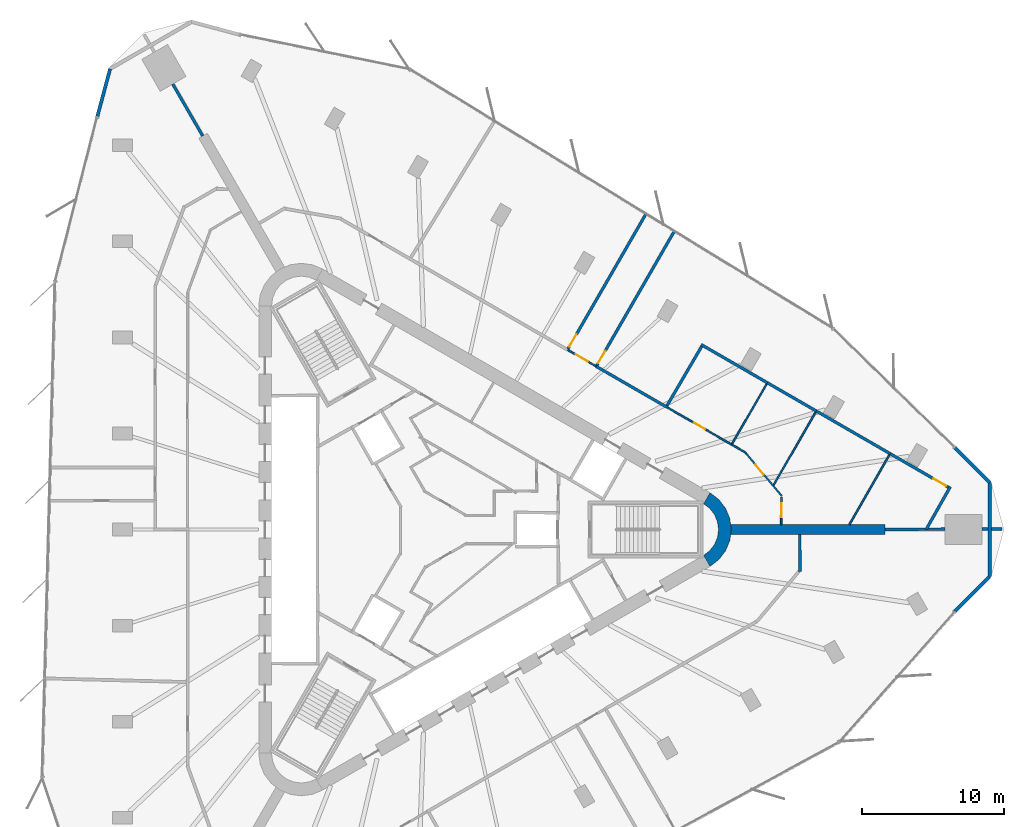
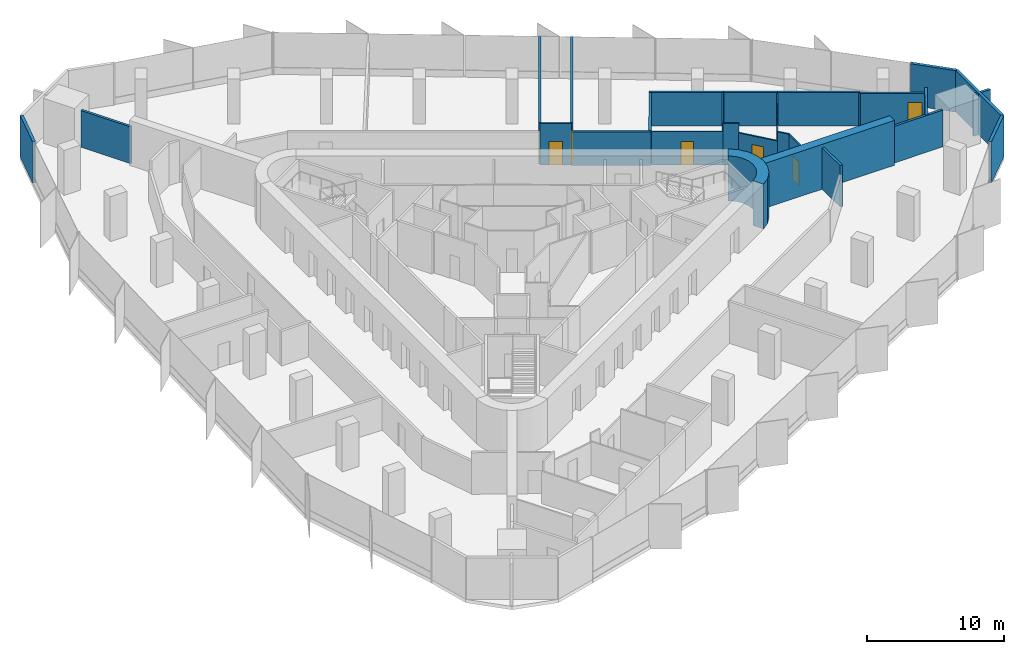
# One storey, part 12 of 14: 29 walls, 7 doors, 7 openings.
"""IFC4 building model written with IfcOpenShell, lengths in metres."""

from ifc_helpers import new_model, si_unit, direction, frame, frame_2d, origin, place, context, subcontext, project, spatial, polyline, rectangle, outline, extrude, material, layer, layer_set, type_object, element, fill, save


model = new_model("IFC4")

# Units and contexts
model_context = context("Model", 3, precision=1e-05, world=origin(), true_north=direction((0.0, 1.0)))
body_context = subcontext(model_context, "Body", "Model", "MODEL_VIEW")
ifc_project = project(units=[si_unit("LENGTHUNIT", "METRE"), si_unit("AREAUNIT", "SQUARE_METRE"), si_unit("VOLUMEUNIT", "CUBIC_METRE"), si_unit("PLANEANGLEUNIT", "RADIAN"), si_unit("MASSUNIT", "GRAM", prefix="KILO")], contexts=[model_context])

# Site, building, storey
site_placement = place(None, origin())
site = spatial("IfcSite", under=ifc_project, at=site_placement, CompositionType="ELEMENT")
building_placement = place(site_placement, origin())
building = spatial("IfcBuilding", under=site, at=building_placement, Name="Tanit Gate Tower", CompositionType="ELEMENT")
storey_placement = place(building_placement, frame((0.0, 0.0, 249.199951171875)))
storey = spatial("IfcBuildingStorey", under=building, at=storey_placement, Name="L56", CompositionType="ELEMENT", Elevation=249.199951171875)

# Walls
ifc_material_1 = material(Name="Concrete C50/60", Category="concrete")
ifc_layer_1 = layer(ifc_material_1, 0.699951171875)
ifc_layer_set_1 = layer_set([ifc_layer_1], Name="BUTTRESS FIN 700 C50/60")
wall_type_1 = type_object("IfcWallType", Name="BUTTRESS FIN 700 C50/60", PredefinedType="SHEAR", material=ifc_layer_set_1)
wall_1_placement = place(storey_placement, frame((21.14990234375, 0.0, 0.0), z_axis=(0.0, 0.0, 1.0), x_axis=(1.0, 0.0, 0.0)))
element("IfcWall", 1, at=wall_1_placement, inside=storey, type_object=wall_type_1, Name="BUTTRESS FIN", PredefinedType="SHEAR", context=body_context, shape_type="SweptSolid", body=[
    extrude(rectangle(XDim=10.900390625, YDim=0.699951171875, at=frame_2d((5.4501953125, 0.0))), origin(), (0.0, 0.0, 1.0), 4.0),
])
ifc_material_2 = material(Name="Concrete C50/60", Category="concrete")
ifc_layer_2 = layer(ifc_material_2, 0.89990234375)
ifc_layer_set_2 = layer_set([ifc_layer_2], Name="CORE WALL 900 C50/60")
wall_type_2 = type_object("IfcWallType", Name="CORE WALL 900 C50/60", PredefinedType="SHEAR", material=ifc_layer_set_2)
wall_2_placement = place(storey_placement, origin())
element("IfcWall", 2, at=wall_2_placement, inside=storey, type_object=wall_type_2, Name="CORE WALL CORNER", PredefinedType="SHEAR", context=body_context, shape_type="SweptSolid", body=[
    extrude(outline(polyline([(19.699951171875, -2.59814453125), (20.3212890625, -2.121337890625), (20.798095703125, -1.5), (21.097900390625, -0.776611328125), (21.199951171875, 0.0), (21.097900390625, 0.776611328125), (20.798095703125, 1.5), (20.3212890625, 2.121337890625), (19.699951171875, 2.59814453125), (19.25, 1.818603515625), (19.684814453125, 1.48486328125), (20.018798828125, 1.050048828125), (20.228515625, 0.54345703125), (20.300048828125, 0.0), (20.228515625, -0.54345703125), (20.018798828125, -1.050048828125), (19.684814453125, -1.48486328125), (19.25, -1.818603515625), (19.699951171875, -2.59814453125)])), origin(), (0.0, 0.0, 1.0), 4.0),
])
ifc_material_3 = material(Name="Concrete C30/37 with bronze anodised aluminium cladding", Category="concrete")
ifc_layer_3 = layer(ifc_material_3, 0.239990234375)
ifc_layer_set_3 = layer_set([ifc_layer_3], Name="Facade wall bronze clad 240")
wall_type_3 = type_object("IfcWallType", Name="Facade wall bronze clad 240", PredefinedType="SOLIDWALL", material=ifc_layer_set_3)
wall_3_placement = place(storey_placement, frame((-22.5791015625, 32.465576171875, 0.0), z_axis=(0.0, 0.0, 1.0), x_axis=(-0.25885800589, -0.965915385935, 0.0)))
element("IfcWall", 3, at=wall_3_placement, inside=storey, type_object=wall_type_3, Name="Bronze-clad facade wall L56 NW.arc3", PredefinedType="SOLIDWALL", context=body_context, shape_type="SweptSolid", body=[
    extrude(rectangle(XDim=3.4697265625, YDim=0.239990234375, at=frame_2d((1.73486328125, 0.0))), origin(), (0.0, 0.0, 1.0), 3.699951171875),
])
wall_4_placement = place(storey_placement, frame((36.948974609375, -5.77783203125, 0.0), z_axis=(0.0, 0.0, 1.0), x_axis=(0.707141916054, 0.707071644573, 0.0)))
element("IfcWall", 4, at=wall_4_placement, inside=storey, type_object=wall_type_3, Name="Bronze-clad facade wall L56 E.arc1", PredefinedType="SOLIDWALL", context=body_context, shape_type="SweptSolid", body=[
    extrude(rectangle(XDim=3.474365234375, YDim=0.239990234375, at=frame_2d((1.7373046875, 0.0))), origin(), (0.0, 0.0, 1.0), 3.699951171875),
])
wall_5_placement = place(storey_placement, frame((39.40576171875, -3.3212890625, 0.0), z_axis=(0.0, 0.0, 1.0), x_axis=(0.0, 1.0, 0.0)))
element("IfcWall", 5, at=wall_5_placement, inside=storey, type_object=wall_type_3, Name="Bronze-clad facade wall L56 E.arc2", PredefinedType="SOLIDWALL", context=body_context, shape_type="SweptSolid", body=[
    extrude(rectangle(XDim=6.642578125, YDim=0.239990234375, at=frame_2d((3.3212890625, 0.0))), origin(), (0.0, 0.0, 1.0), 3.699951171875),
])
wall_6_placement = place(storey_placement, frame((39.40576171875, 3.3212890625, 0.0), z_axis=(0.0, 0.0, 1.0), x_axis=(-0.707106781187, 0.707106781187, 0.0)))
element("IfcWall", 6, at=wall_6_placement, inside=storey, type_object=wall_type_3, Name="Bronze-clad facade wall L56 E.arc3", PredefinedType="SOLIDWALL", context=body_context, shape_type="SweptSolid", body=[
    extrude(rectangle(XDim=3.469970703125, YDim=0.239990234375, at=frame_2d((1.73486328125, 0.0))), origin(), (0.0, 0.0, 1.0), 3.699951171875),
])
ifc_material_4 = material(Name="Fire-rated gypsum board partition")
ifc_layer_4 = layer(ifc_material_4, 0.199951171875)
ifc_layer_set_4 = layer_set([ifc_layer_4], Name="INT-WALL-COMPARTMENT")
wall_type_4 = type_object("IfcWallType", Name="INT-WALL-COMPARTMENT", PredefinedType="PARTITIONING", material=ifc_layer_set_4)
wall_7_placement = place(storey_placement, frame((16.6728515625, 8.6181640625, 0.0), z_axis=(0.0, 0.0, 1.0), x_axis=(-0.866014659605, 0.500018609004, 0.0)))
element("IfcWall", 7, at=wall_7_placement, inside=storey, type_object=wall_type_4, Name="Wall Compartment W107", PredefinedType="PARTITIONING", context=body_context, shape_type="SweptSolid", body=[
    extrude(rectangle(XDim=5.780029296875, YDim=0.199951171875, at=frame_2d((2.89013671875, 0.0))), origin(), (0.0, 0.0, 1.0), 2.97998046875),
])
wall_8_placement = place(storey_placement, frame((26.04736328125, -2.972412109375, 0.0), z_axis=(0.0, 0.0, 1.0), x_axis=(-0.010519853563, 0.99994466481, 0.0)))
element("IfcWall", 8, at=wall_8_placement, inside=storey, type_object=wall_type_4, Name="Wall Compartment W114", PredefinedType="PARTITIONING", context=body_context, shape_type="SweptSolid", body=[
    extrude(rectangle(XDim=2.62255859375, YDim=0.199951171875, at=frame_2d((1.311279296875, 0.0))), origin(), (0.0, 0.0, 1.0), 3.699951171875),
])
wall_9_placement = place(storey_placement, frame((-18.160888671875, 31.3955078125, 0.0), z_axis=(0.0, 0.0, 1.0), x_axis=(0.500034652011, -0.866005396512, 0.0)))
element("IfcWall", 9, at=wall_9_placement, inside=storey, type_object=wall_type_4, Name="Wall Compartment W130", PredefinedType="PARTITIONING", context=body_context, shape_type="SweptSolid", body=[
    extrude(rectangle(XDim=4.219482421875, YDim=0.199951171875, at=frame_2d((2.10986328125, 0.0))), origin(), (0.0, 0.0, 1.0), 3.27001953125),
])

# Wall, opening, door
wall_10_placement = place(storey_placement, frame((15.18701171875, 22.244873046875, 0.0), z_axis=(0.0, 0.0, 1.0), x_axis=(-0.49999723543, -0.866026999904, 0.0)))
wall_10 = element("IfcWall", 10, at=wall_10_placement, inside=storey, type_object=wall_type_4, Name="Wall Compartment W131", PredefinedType="PARTITIONING", context=body_context, shape_type="SweptSolid", body=[
    extrude(rectangle(XDim=10.998046875, YDim=0.199951171875, at=frame_2d((5.4990234375, 0.0))), origin(), (0.0, 0.0, 1.0), 3.699951171875),
])
opening_1_placement = place(wall_10_placement, frame((9.798095703125, 0.0, 0.0)))
opening_1 = element("IfcOpeningElement", 11, at=opening_1_placement, cuts=wall_10, Name="Opening F10-S15-35", PredefinedType="OPENING", context=body_context, shape_type="SweptSolid", body=[
    extrude(rectangle(XDim=1.0, YDim=2.10009765625, at=frame_2d((0.5, 1.050048828125))), frame((0.0, 0.10986328125, 0.0), z_axis=(0.0, -1.0, 0.0), x_axis=(1.0, 0.0, 0.0)), (0.0, 0.0, 1.0), 0.219970703125),
])
ifc_material_5 = material(Name="Fire-rated steel door leaf", Category="steel")
door_type_1 = type_object("IfcDoorType", Name="INT-DOOR-FIRE-1000", OperationType="NOTDEFINED", PredefinedType="USERDEFINED", material=ifc_material_5)
door_1_placement = place(opening_1_placement, origin())
door_1 = element("IfcDoor", 12, at=door_1_placement, inside=storey, type_object=door_type_1, Name="Door F10-S15-35", ObjectType="FIRE DOOR", OperationType="SINGLE_SWING_LEFT", OverallHeight=2.10009765625, OverallWidth=1.0, PredefinedType="USERDEFINED", context=body_context, shape_type="SweptSolid", body=[
    extrude(rectangle(XDim=1.0, YDim=2.10009765625, at=frame_2d((0.5, 1.050048828125))), frame((0.0, 0.02490234375, 0.0), z_axis=(0.0, -1.0, 0.0), x_axis=(1.0, 0.0, 0.0)), (0.0, 0.0, 1.0), 0.050048828125),
])
fill(opening_1, door_1)

wall_11_placement = place(storey_placement, frame((11.714599609375, 11.550048828125, 0.0), z_axis=(0.0, 0.0, 1.0), x_axis=(0.499999401607, 0.866025749266, 0.0)))
wall_11 = element("IfcWall", 13, at=wall_11_placement, inside=storey, type_object=wall_type_4, Name="Wall Compartment W132", PredefinedType="PARTITIONING", context=body_context, shape_type="SweptSolid", body=[
    extrude(rectangle(XDim=10.9375, YDim=0.199951171875, at=frame_2d((5.46875, 0.0))), origin(), (0.0, 0.0, 1.0), 3.699951171875),
])
opening_2_placement = place(wall_11_placement, frame((0.199951171875, 0.0, 0.0)))
opening_2 = element("IfcOpeningElement", 14, at=opening_2_placement, cuts=wall_11, Name="Opening F10-S15-36", PredefinedType="OPENING", context=body_context, shape_type="SweptSolid", body=[
    extrude(rectangle(XDim=1.0, YDim=2.10009765625, at=frame_2d((0.5, 1.050048828125))), frame((0.0, 0.10986328125, 0.0), z_axis=(0.0, -1.0, 0.0), x_axis=(1.0, 0.0, 0.0)), (0.0, 0.0, 1.0), 0.219970703125),
])
door_2_placement = place(opening_2_placement, origin())
door_2 = element("IfcDoor", 15, at=door_2_placement, inside=storey, type_object=door_type_1, Name="Door F10-S15-36", ObjectType="FIRE DOOR", OperationType="SINGLE_SWING_RIGHT", OverallHeight=2.10009765625, OverallWidth=1.0, PredefinedType="USERDEFINED", context=body_context, shape_type="SweptSolid", body=[
    extrude(rectangle(XDim=1.0, YDim=2.10009765625, at=frame_2d((0.5, 1.050048828125))), frame((0.0, 0.02490234375, 0.0), z_axis=(0.0, -1.0, 0.0), x_axis=(1.0, 0.0, 0.0)), (0.0, 0.0, 1.0), 0.050048828125),
])
fill(opening_2, door_2)

# Walls
wall_12_placement = place(storey_placement, frame((40.28759765625, 0.030029296875, 0.0), z_axis=(0.0, 0.0, 1.0), x_axis=(-1.0, 0.0, 0.0)))
element("IfcWall", 16, at=wall_12_placement, inside=storey, type_object=wall_type_4, Name="Wall Compartment W135", PredefinedType="PARTITIONING", context=body_context, shape_type="SweptSolid", body=[
    extrude(rectangle(XDim=0.761962890625, YDim=0.199951171875, at=frame_2d((0.380859375, 0.0))), origin(), (0.0, 0.0, 1.0), 3.699951171875),
])
wall_13_placement = place(storey_placement, frame((39.28564453125, 0.030029296875, 0.0), z_axis=(0.0, 0.0, 1.0), x_axis=(-1.0, 0.0, 0.0)))
element("IfcWall", 17, at=wall_13_placement, inside=storey, type_object=wall_type_4, Name="Wall Compartment W135x1", PredefinedType="PARTITIONING", context=body_context, shape_type="SweptSolid", body=[
    extrude(rectangle(XDim=0.415771484375, YDim=0.199951171875, at=frame_2d((0.2080078125, 0.0))), origin(), (0.0, 0.0, 1.0), 3.699951171875),
])
wall_14_placement = place(storey_placement, frame((36.269775390625, 0.030029296875, 0.0), z_axis=(0.0, 0.0, 1.0), x_axis=(-0.999974676399, -0.007116639773, 0.0)))
element("IfcWall", 18, at=wall_14_placement, inside=storey, type_object=wall_type_4, Name="Wall Compartment W134", PredefinedType="PARTITIONING", context=body_context, shape_type="SweptSolid", body=[
    extrude(rectangle(XDim=4.219482421875, YDim=0.199951171875, at=frame_2d((2.10986328125, 0.0))), origin(), (0.0, 0.0, 1.0), 3.27001953125),
])
wall_15_placement = place(storey_placement, frame((19.0751953125, 13.039306640625, 0.0), z_axis=(0.0, 0.0, 1.0), x_axis=(0.866038526581, -0.499977269961, 0.0)))
element("IfcWall", 19, at=wall_15_placement, inside=storey, type_object=wall_type_4, Name="Wall Compartment W136", PredefinedType="PARTITIONING", context=body_context, shape_type="SweptSolid", body=[
    extrude(rectangle(XDim=5.390869140625, YDim=0.199951171875, at=frame_2d((2.6953125, 0.0))), origin(), (0.0, 0.0, 1.0), 2.97998046875),
])
wall_16_placement = place(storey_placement, frame((23.743896484375, 10.343994140625, 0.0), z_axis=(0.0, 0.0, 1.0), x_axis=(0.86599666964, -0.500049765695, 0.0)))
element("IfcWall", 20, at=wall_16_placement, inside=storey, type_object=wall_type_4, Name="Wall Compartment W138", PredefinedType="PARTITIONING", context=body_context, shape_type="SweptSolid", body=[
    extrude(rectangle(XDim=3.9814453125, YDim=0.199951171875, at=frame_2d((1.99072265625, 0.0))), origin(), (0.0, 0.0, 1.0), 2.97998046875),
])
wall_17_placement = place(storey_placement, frame((27.19189453125, 8.35302734375, 0.0), z_axis=(0.0, 0.0, 1.0), x_axis=(0.866025306899, -0.50000016781, 0.0)))
element("IfcWall", 21, at=wall_17_placement, inside=storey, type_object=wall_type_4, Name="Wall Compartment W139", PredefinedType="PARTITIONING", context=body_context, shape_type="SweptSolid", body=[
    extrude(rectangle(XDim=6.01171875, YDim=0.199951171875, at=frame_2d((3.005859375, 0.0))), origin(), (0.0, 0.0, 1.0), 2.97998046875),
])

# Wall, opening, door
wall_18_placement = place(storey_placement, frame((32.398193359375, 5.34716796875, 0.0), z_axis=(0.0, 0.0, 1.0), x_axis=(0.866036218949, -0.499981267118, 0.0)))
wall_18 = element("IfcWall", 22, at=wall_18_placement, inside=storey, type_object=wall_type_4, Name="Wall Compartment W141", PredefinedType="PARTITIONING", context=body_context, shape_type="SweptSolid", body=[
    extrude(rectangle(XDim=4.736083984375, YDim=0.199951171875, at=frame_2d((2.3681640625, 0.0))), origin(), (0.0, 0.0, 1.0), 2.880126953125),
])
opening_3_placement = place(wall_18_placement, frame((3.535888671875, 0.0, 0.0)))
opening_3 = element("IfcOpeningElement", 23, at=opening_3_placement, cuts=wall_18, Name="Opening F10-S15-25", PredefinedType="OPENING", context=body_context, shape_type="SweptSolid", body=[
    extrude(rectangle(XDim=1.0, YDim=2.10009765625, at=frame_2d((0.5, 1.050048828125))), frame((0.0, 0.10986328125, 0.0), z_axis=(0.0, -1.0, 0.0), x_axis=(1.0, 0.0, 0.0)), (0.0, 0.0, 1.0), 0.219970703125),
])
door_3_placement = place(opening_3_placement, origin())
door_3 = element("IfcDoor", 24, at=door_3_placement, inside=storey, type_object=door_type_1, Name="Door F10-S15-25", ObjectType="FIRE DOOR", OperationType="SINGLE_SWING_RIGHT", OverallHeight=2.10009765625, OverallWidth=1.0, PredefinedType="USERDEFINED", context=body_context, shape_type="SweptSolid", body=[
    extrude(rectangle(XDim=1.0, YDim=2.10009765625, at=frame_2d((0.5, 1.050048828125))), frame((0.0, 0.02490234375, 0.0), z_axis=(0.0, -1.0, 0.0), x_axis=(1.0, 0.0, 0.0)), (0.0, 0.0, 1.0), 0.050048828125),
])
fill(opening_3, door_3)

# Walls
wall_19_placement = place(storey_placement, frame((19.111328125, 12.903076171875, 0.0), z_axis=(0.0, 0.0, 1.0), x_axis=(-0.505159000856, -0.863026293837, 0.0)))
element("IfcWall", 25, at=wall_19_placement, inside=storey, type_object=wall_type_4, Name="Wall Compartment W137", PredefinedType="PARTITIONING", context=body_context, shape_type="SweptSolid", body=[
    extrude(rectangle(XDim=4.830078125, YDim=0.199951171875, at=frame_2d((2.4150390625, 0.0))), origin(), (0.0, 0.0, 1.0), 2.97998046875),
])
wall_20_placement = place(storey_placement, frame((34.9296875, 0.0, 0.0), z_axis=(0.0, 0.0, 1.0), x_axis=(0.49225689493, 0.870449969495, 0.0)))
element("IfcWall", 26, at=wall_20_placement, inside=storey, type_object=wall_type_4, Name="Wall Compartment W140", PredefinedType="PARTITIONING", context=body_context, shape_type="SweptSolid", body=[
    extrude(rectangle(XDim=3.46533203125, YDim=0.199951171875, at=frame_2d((1.732666015625, 0.0))), origin(), (0.0, 0.0, 1.0), 3.27001953125),
])
ifc_material_6 = material(Name="Gypsum board partition")
ifc_layer_5 = layer(ifc_material_6, 0.1201171875)
ifc_layer_set_5 = layer_set([ifc_layer_5], Name="INT-WALL-PARTITION")
wall_type_5 = type_object("IfcWallType", Name="INT-WALL-PARTITION", PredefinedType="PARTITIONING", material=ifc_layer_set_5)
wall_21_placement = place(storey_placement, frame((22.235595703125, 5.406494140625, 0.0), z_axis=(0.0, 0.0, 1.0), x_axis=(-0.866024722723, 0.500001179632, 0.0)))
element("IfcWall", 27, at=wall_21_placement, inside=storey, type_object=wall_type_5, Name="Wall Partition W109", PredefinedType="PARTITIONING", context=body_context, shape_type="SweptSolid", body=[
    extrude(rectangle(XDim=1.16259765625, YDim=0.1201171875, at=frame_2d((0.581298828125, 0.0))), origin(), (0.0, 0.0, 1.0), 3.699951171875),
])

# Wall, opening, door
wall_22_placement = place(storey_placement, frame((21.228759765625, 5.98779296875, 0.0), z_axis=(0.0, 0.0, 1.0), x_axis=(-0.866024383922, 0.50000176645, 0.0)))
wall_22 = element("IfcWall", 28, at=wall_22_placement, inside=storey, type_object=wall_type_5, Name="Wall Partition W108", PredefinedType="PARTITIONING", context=body_context, shape_type="SweptSolid", body=[
    extrude(rectangle(XDim=5.220703125, YDim=0.1201171875, at=frame_2d((2.6103515625, 0.0))), origin(), (0.0, 0.0, 1.0), 2.97998046875),
])
opening_4_placement = place(wall_22_placement, frame((2.160400390625, 0.0, 0.0)))
opening_4 = element("IfcOpeningElement", 29, at=opening_4_placement, cuts=wall_22, Name="Opening D09-S15-22", PredefinedType="OPENING", context=body_context, shape_type="SweptSolid", body=[
    extrude(rectangle(XDim=0.89990234375, YDim=2.10009765625, at=frame_2d((0.449951171875, 1.050048828125))), frame((0.0, 0.070068359375, 0.0), z_axis=(0.0, -1.0, 0.0), x_axis=(1.0, 0.0, 0.0)), (0.0, 0.0, 1.0), 0.14013671875),
])
ifc_material_7 = material(Name="Timber door leaf", Category="wood")
door_type_2 = type_object("IfcDoorType", Name="INT-DOOR-SINGLE-900", OperationType="NOTDEFINED", PredefinedType="NOTDEFINED", material=ifc_material_7)
door_4_placement = place(opening_4_placement, origin())
door_4 = element("IfcDoor", 30, at=door_4_placement, inside=storey, type_object=door_type_2, Name="Door D09-S15-22", OperationType="SINGLE_SWING_LEFT", OverallHeight=2.10009765625, OverallWidth=0.89990234375, PredefinedType="NOTDEFINED", context=body_context, shape_type="SweptSolid", body=[
    extrude(rectangle(XDim=0.89990234375, YDim=2.10009765625, at=frame_2d((0.449951171875, 1.050048828125))), frame((0.0, 0.02490234375, 0.0), z_axis=(0.0, -1.0, 0.0), x_axis=(1.0, 0.0, 0.0)), (0.0, 0.0, 1.0), 0.050048828125),
])
fill(opening_4, door_4)

wall_23_placement = place(storey_placement, frame((11.667236328125, 11.50830078125, 0.0), z_axis=(0.0, 0.0, 1.0), x_axis=(-0.866053019151, 0.499952165731, 0.0)))
wall_23 = element("IfcWall", 31, at=wall_23_placement, inside=storey, type_object=wall_type_5, Name="Wall Partition W102", PredefinedType="PARTITIONING", context=body_context, shape_type="SweptSolid", body=[
    extrude(rectangle(XDim=2.300048828125, YDim=0.1201171875, at=frame_2d((1.14990234375, 0.0))), origin(), (0.0, 0.0, 1.0), 3.699951171875),
])
opening_5_placement = place(wall_23_placement, frame((0.64990234375, 0.0, 0.0)))
opening_5 = element("IfcOpeningElement", 32, at=opening_5_placement, cuts=wall_23, Name="Opening D10-S15-20", PredefinedType="OPENING", context=body_context, shape_type="SweptSolid", body=[
    extrude(rectangle(XDim=1.0, YDim=2.10009765625, at=frame_2d((0.5, 1.050048828125))), frame((0.0, 0.070068359375, 0.0), z_axis=(0.0, -1.0, 0.0), x_axis=(1.0, 0.0, 0.0)), (0.0, 0.0, 1.0), 0.14013671875),
])
ifc_material_8 = material(Name="Timber door leaf", Category="wood")
door_type_3 = type_object("IfcDoorType", Name="INT-DOOR-SINGLE-1000", OperationType="NOTDEFINED", PredefinedType="NOTDEFINED", material=ifc_material_8)
door_5_placement = place(opening_5_placement, origin())
door_5 = element("IfcDoor", 33, at=door_5_placement, inside=storey, type_object=door_type_3, Name="Door D10-S15-20", OperationType="SINGLE_SWING_LEFT", OverallHeight=2.10009765625, OverallWidth=1.0, PredefinedType="NOTDEFINED", context=body_context, shape_type="SweptSolid", body=[
    extrude(rectangle(XDim=1.0, YDim=2.10009765625, at=frame_2d((0.5, 1.050048828125))), frame((0.0, 0.02490234375, 0.0), z_axis=(0.0, -1.0, 0.0), x_axis=(1.0, 0.0, 0.0)), (0.0, 0.0, 1.0), 0.050048828125),
])
fill(opening_5, door_5)

# Wall
wall_24_placement = place(storey_placement, frame((24.760498046875, 2.365478515625, 0.0), z_axis=(0.0, 0.0, 1.0), x_axis=(-0.642800124371, 0.766033941878, 0.0)))
element("IfcWall", 34, at=wall_24_placement, inside=storey, type_object=wall_type_5, Name="Wall Partition W111", PredefinedType="PARTITIONING", context=body_context, shape_type="SweptSolid", body=[
    extrude(rectangle(XDim=0.93505859375, YDim=0.1201171875, at=frame_2d((0.467529296875, 0.0))), origin(), (0.0, 0.0, 1.0), 3.699951171875),
])

# Wall, opening, door
wall_25_placement = place(storey_placement, frame((24.159423828125, 3.081787109375, 0.0), z_axis=(0.0, 0.0, 1.0), x_axis=(-0.642770249036, 0.766059010099, 0.0)))
wall_25 = element("IfcWall", 35, at=wall_25_placement, inside=storey, type_object=wall_type_5, Name="Wall Partition W110", PredefinedType="PARTITIONING", context=body_context, shape_type="SweptSolid", body=[
    extrude(rectangle(XDim=3.013916015625, YDim=0.1201171875, at=frame_2d((1.5068359375, 0.0))), origin(), (0.0, 0.0, 1.0), 2.880126953125),
])
opening_6_placement = place(wall_25_placement, frame((1.056884765625, 0.0, 0.0)))
opening_6 = element("IfcOpeningElement", 36, at=opening_6_placement, cuts=wall_25, Name="Opening D09-S15-23", PredefinedType="OPENING", context=body_context, shape_type="SweptSolid", body=[
    extrude(rectangle(XDim=0.89990234375, YDim=2.10009765625, at=frame_2d((0.449951171875, 1.050048828125))), frame((0.0, 0.070068359375, 0.0), z_axis=(0.0, -1.0, 0.0), x_axis=(1.0, 0.0, 0.0)), (0.0, 0.0, 1.0), 0.14013671875),
])
door_6_placement = place(opening_6_placement, origin())
door_6 = element("IfcDoor", 37, at=door_6_placement, inside=storey, type_object=door_type_2, Name="Door D09-S15-23", OperationType="SINGLE_SWING_LEFT", OverallHeight=2.10009765625, OverallWidth=0.89990234375, PredefinedType="NOTDEFINED", context=body_context, shape_type="SweptSolid", body=[
    extrude(rectangle(XDim=0.89990234375, YDim=2.10009765625, at=frame_2d((0.449951171875, 1.050048828125))), frame((0.0, 0.02490234375, 0.0), z_axis=(0.0, -1.0, 0.0), x_axis=(1.0, 0.0, 0.0)), (0.0, 0.0, 1.0), 0.050048828125),
])
fill(opening_6, door_6)

wall_26_placement = place(storey_placement, frame((24.720703125, 0.35009765625, 0.0), z_axis=(0.0, 0.0, 1.0), x_axis=(0.012579203405, 0.999920878691, 0.0)))
wall_26 = element("IfcWall", 38, at=wall_26_placement, inside=storey, type_object=wall_type_5, Name="Wall Partition W112", PredefinedType="PARTITIONING", context=body_context, shape_type="SweptSolid", body=[
    extrude(rectangle(XDim=1.94091796875, YDim=0.1201171875, at=frame_2d((0.970458984375, 0.0))), origin(), (0.0, 0.0, 1.0), 3.699951171875),
])
opening_7_placement = place(wall_26_placement, frame((0.5205078125, 0.0, 0.0)))
opening_7 = element("IfcOpeningElement", 39, at=opening_7_placement, cuts=wall_26, Name="Opening D10-S15-24", PredefinedType="OPENING", context=body_context, shape_type="SweptSolid", body=[
    extrude(rectangle(XDim=1.0, YDim=2.10009765625, at=frame_2d((0.5, 1.050048828125))), frame((0.0, 0.070068359375, 0.0), z_axis=(0.0, -1.0, 0.0), x_axis=(1.0, 0.0, 0.0)), (0.0, 0.0, 1.0), 0.14013671875),
])
door_7_placement = place(opening_7_placement, origin())
door_7 = element("IfcDoor", 40, at=door_7_placement, inside=storey, type_object=door_type_3, Name="Door D10-S15-24", OperationType="SINGLE_SWING_LEFT", OverallHeight=2.10009765625, OverallWidth=1.0, PredefinedType="NOTDEFINED", context=body_context, shape_type="SweptSolid", body=[
    extrude(rectangle(XDim=1.0, YDim=2.10009765625, at=frame_2d((0.5, 1.050048828125))), frame((0.0, 0.02490234375, 0.0), z_axis=(0.0, -1.0, 0.0), x_axis=(1.0, 0.0, 0.0)), (0.0, 0.0, 1.0), 0.050048828125),
])
fill(opening_7, door_7)

# Walls
wall_27_placement = place(storey_placement, frame((21.2587890625, 6.039794921875, 0.0), z_axis=(0.0, 0.0, 1.0), x_axis=(0.500010305712, 0.866019453697, 0.0)))
element("IfcWall", 41, at=wall_27_placement, inside=storey, type_object=wall_type_5, Name="Wall Partition W152", PredefinedType="PARTITIONING", context=body_context, shape_type="SweptSolid", body=[
    extrude(rectangle(XDim=4.8701171875, YDim=0.1201171875, at=frame_2d((2.43505859375, 0.0))), origin(), (0.0, 0.0, 1.0), 2.97998046875),
])
wall_28_placement = place(storey_placement, frame((27.14208984375, 8.2666015625, 0.0), z_axis=(0.0, 0.0, 1.0), x_axis=(-0.499992838882, -0.866029538218, 0.0)))
element("IfcWall", 42, at=wall_28_placement, inside=storey, type_object=wall_type_5, Name="Wall Partition W153", PredefinedType="PARTITIONING", context=body_context, shape_type="SweptSolid", body=[
    extrude(rectangle(XDim=5.9140625, YDim=0.1201171875, at=frame_2d((2.95703125, 0.0))), origin(), (0.0, 0.0, 1.0), 2.880126953125),
])
wall_29_placement = place(storey_placement, frame((29.517578125, 0.35009765625, 0.0), z_axis=(0.0, 0.0, 1.0), x_axis=(0.499424120211, 0.866357632939, 0.0)))
element("IfcWall", 43, at=wall_29_placement, inside=storey, type_object=wall_type_5, Name="Wall Partition W154", PredefinedType="PARTITIONING", context=body_context, shape_type="SweptSolid", body=[
    extrude(rectangle(XDim=5.668212890625, YDim=0.1201171875, at=frame_2d((2.833984375, 0.0))), origin(), (0.0, 0.0, 1.0), 2.880126953125),
])

save(model, "model.ifc")
